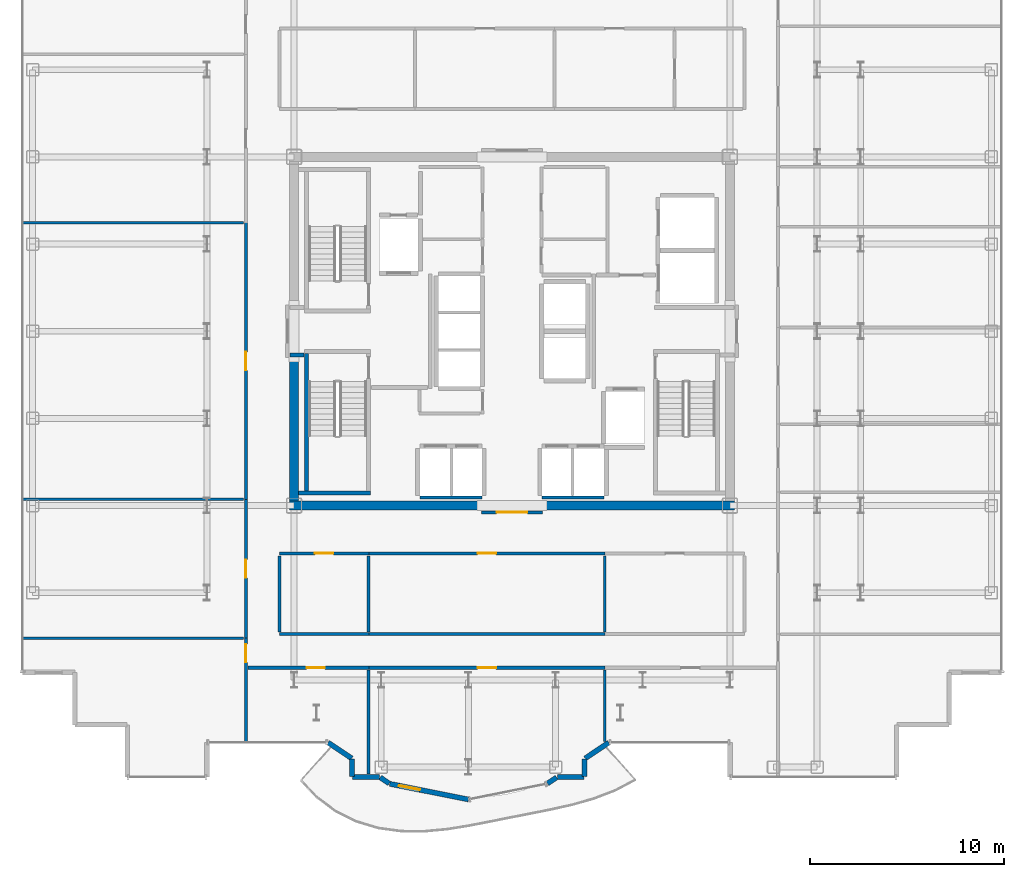
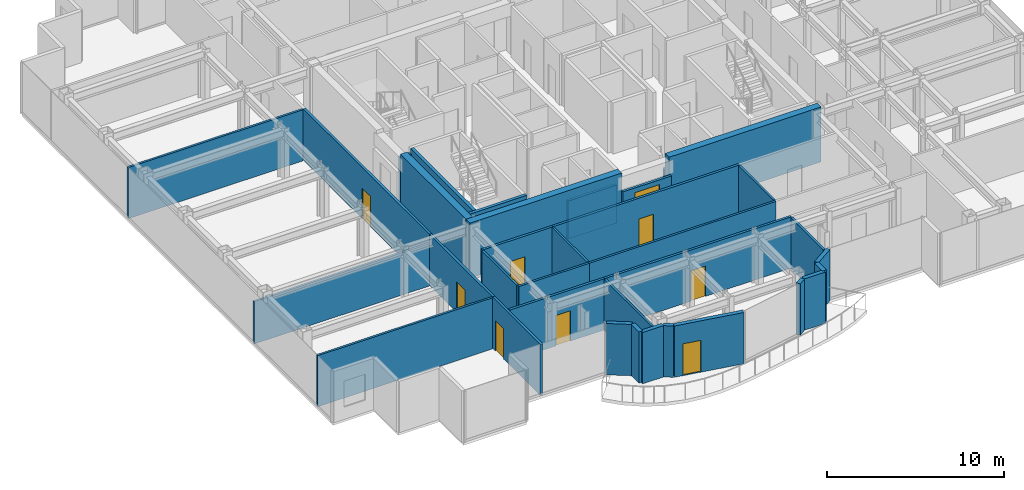
# One storey, part 14 of 21: 35 walls, 9 doors, 9 openings.
"""IFC4 building model written with IfcOpenShell, lengths in metres."""

from ifc_helpers import new_model, si_unit, direction, frame, frame_2d, origin, place, context, subcontext, project, spatial, rectangle, extrude, source, transform, mapped, material, layer, layer_set, type_object, element, fill, save


model = new_model("IFC4")

# Units and contexts
model_context = context("Model", 3, precision=1e-05, world=origin(), true_north=direction((0.0, 1.0)))
body_context = subcontext(model_context, "Body", "Model", "MODEL_VIEW")
ifc_project = project(units=[si_unit("LENGTHUNIT", "METRE"), si_unit("AREAUNIT", "SQUARE_METRE"), si_unit("VOLUMEUNIT", "CUBIC_METRE"), si_unit("PLANEANGLEUNIT", "RADIAN"), si_unit("MASSUNIT", "GRAM", prefix="KILO")], contexts=[model_context])

# Site, building, storey
site_placement = place(None, origin())
site = spatial("IfcSite", under=ifc_project, at=site_placement, CompositionType="ELEMENT")
building_placement = place(site_placement, origin())
building = spatial("IfcBuilding", under=site, at=building_placement, Name="Nefas-Gora Pilgrimage Tower", CompositionType="ELEMENT")
storey_placement = place(building_placement, frame((0.0, 0.0, 248.39990234375)))
storey = spatial("IfcBuildingStorey", under=building, at=storey_placement, Name="L62", CompositionType="ELEMENT", Elevation=248.39990234375)

# Walls
ifc_material_1 = material(Name="Concrete C50/60", Category="concrete")
ifc_layer_1 = layer(ifc_material_1, 0.449951171875)
ifc_layer_set_1 = layer_set([ifc_layer_1], Name="Concrete C50/60")
wall_type_1 = type_object("IfcWallType", Name="SW-CORE-450", PredefinedType="SHEAR", material=ifc_layer_set_1)
shared_shape_1 = source(origin(), body_context, "Body", "SweptSolid", [
    extrude(rectangle(XDim=9.925048828125, YDim=0.449951171875, at=frame_2d((4.96240234375, 0.0))), origin(), (0.0, 0.0, 1.0), 3.800048828125),
])
for number, where, z_axis, x_axis, name in (
    (1, (-11.47509765625, -9.0, 0.0), (0.0, 0.0, 1.0), (1.0, 0.0, 0.0), "L62 Core Shear Wall S-West"),
    (2, (1.550048828125, -9.0, 0.0), (0.0, 0.0, 1.0), (1.0, 0.0, 0.0), "L62 Core Shear Wall S-East"),
):
    element("IfcWall", number, at=place(storey_placement, frame(where, z_axis=z_axis, x_axis=x_axis)), inside=storey, type_object=wall_type_1, Name=name, PredefinedType="SHEAR", context=body_context, shape_type="MappedRepresentation", body=[
        mapped(shared_shape_1, transform((0.0, 0.0, 0.0), x_axis=(1.0, 0.0, 0.0), y_axis=(0.0, 1.0, 0.0), z_axis=(0.0, 0.0, 1.0), scale=1.0)),
    ])
shared_shape_2 = source(origin(), body_context, "Body", "SweptSolid", [
    extrude(rectangle(XDim=7.4248046875, YDim=0.449951171875, at=frame_2d((3.71240234375, 0.0))), origin(), (0.0, 0.0, 1.0), 3.800048828125),
])
wall_1_placement = place(storey_placement, frame((-11.25, -8.77490234375, 0.0), z_axis=(0.0, 0.0, 1.0), x_axis=(0.0, 1.0, 0.0)))
element("IfcWall", 3, at=wall_1_placement, inside=storey, type_object=wall_type_1, Name="L62 Core Shear Wall W-South", PredefinedType="SHEAR", context=body_context, shape_type="MappedRepresentation", body=[
    mapped(shared_shape_2, transform((0.0, 0.0, 0.0), x_axis=(1.0, 0.0, 0.0), y_axis=(0.0, 1.0, 0.0), z_axis=(0.0, 0.0, 1.0), scale=1.0)),
])
ifc_material_2 = material(Name="Precast concrete C40/50", Category="concrete")
ifc_layer_2 = layer(ifc_material_2, 0.260009765625)
ifc_layer_set_2 = layer_set([ifc_layer_2], Name="Precast concrete C40/50")
wall_type_2 = type_object("IfcWallType", Name="EW-PORTAL-260", PredefinedType="SOLIDWALL", material=ifc_layer_set_2)
shared_shape_3 = source(origin(), body_context, "Body", "SweptSolid", [
    extrude(rectangle(XDim=1.468994140625, YDim=0.260009765625, at=frame_2d((0.734375, 0.0))), origin(), (0.0, 0.0, 1.0), 3.550048828125),
])
for number, where, z_axis, x_axis, name in (
    (4, (-9.49462890625, -21.235595703125, 0.0), (0.0, 0.0, 1.0), (0.831461760506, -0.555581983884, 0.0), "L62 Lobe Shoulder Precast Spandrel Pier 30"),
    (5, (3.773193359375, -22.0517578125, 0.0), (0.0, 0.0, 1.0), (0.831461760506, 0.555581983884, 0.0), "L62 Lobe Shoulder Precast Spandrel Pier 38"),
):
    element("IfcWall", number, at=place(storey_placement, frame(where, z_axis=z_axis, x_axis=x_axis)), inside=storey, type_object=wall_type_2, Name=name, PredefinedType="SOLIDWALL", context=body_context, shape_type="MappedRepresentation", body=[
        mapped(shared_shape_3, transform((0.0, 0.0, 0.0), x_axis=(1.0, 0.0, 0.0), y_axis=(0.0, 1.0, 0.0), z_axis=(0.0, 0.0, 1.0), scale=1.0)),
    ])
shared_shape_4 = source(origin(), body_context, "Body", "SweptSolid", [
    extrude(rectangle(XDim=0.896728515625, YDim=0.260009765625, at=frame_2d((0.4482421875, 0.0))), origin(), (0.0, 0.0, 1.0), 3.550048828125),
])
for number, where, z_axis, x_axis, name in (
    (6, (-8.25, -22.09521484375, 0.0), (0.0, 0.0, 1.0), (0.0, -1.0, 0.0), "L62 Lobe Shoulder Precast Spandrel Pier 31"),
    (7, (3.75, -22.991943359375, 0.0), (0.0, 0.0, 1.0), (0.0, 1.0, 0.0), "L62 Lobe Shoulder Precast Spandrel Pier 37"),
):
    element("IfcWall", number, at=place(storey_placement, frame(where, z_axis=z_axis, x_axis=x_axis)), inside=storey, type_object=wall_type_2, Name=name, PredefinedType="SOLIDWALL", context=body_context, shape_type="MappedRepresentation", body=[
        mapped(shared_shape_4, transform((0.0, 0.0, 0.0), x_axis=(1.0, 0.0, 0.0), y_axis=(0.0, 1.0, 0.0), z_axis=(0.0, 0.0, 1.0), scale=1.0)),
    ])
shared_shape_5 = source(origin(), body_context, "Body", "SweptSolid", [
    extrude(rectangle(XDim=1.369873046875, YDim=0.260009765625, at=frame_2d((0.68505859375, 0.0))), origin(), (0.0, 0.0, 1.0), 3.550048828125),
])
for number, where, z_axis, x_axis, name in (
    (8, (-8.221923828125, -23.02001953125, 0.0), (0.0, 0.0, 1.0), (1.0, 0.0, 0.0), "L62 Lobe Shoulder Precast Spandrel Pier 32"),
    (9, (2.35205078125, -23.02001953125, 0.0), (0.0, 0.0, 1.0), (1.0, 0.0, 0.0), "L62 Lobe Shoulder Precast Spandrel Pier 36"),
):
    element("IfcWall", number, at=place(storey_placement, frame(where, z_axis=z_axis, x_axis=x_axis)), inside=storey, type_object=wall_type_2, Name=name, PredefinedType="SOLIDWALL", context=body_context, shape_type="MappedRepresentation", body=[
        mapped(shared_shape_5, transform((0.0, 0.0, 0.0), x_axis=(1.0, 0.0, 0.0), y_axis=(0.0, 1.0, 0.0), z_axis=(0.0, 0.0, 1.0), scale=1.0)),
    ])
shared_shape_6 = source(origin(), body_context, "Body", "SweptSolid", [
    extrude(rectangle(XDim=0.5654296875, YDim=0.260009765625, at=frame_2d((0.28271484375, 0.0))), origin(), (0.0, 0.0, 1.0), 3.550048828125),
])
for number, where, z_axis, x_axis, name in (
    (10, (-6.80078125, -23.03564453125, 0.0), (0.0, 0.0, 1.0), (0.831651492666, -0.555297933317, 0.0), "L62 Lobe Shoulder Precast Spandrel Pier 33"),
    (11, (1.83056640625, -23.349609375, 0.0), (0.0, 0.0, 1.0), (0.831651492666, 0.555297933317, 0.0), "L62 Lobe Shoulder Precast Spandrel Pier 35"),
):
    element("IfcWall", number, at=place(storey_placement, frame(where, z_axis=z_axis, x_axis=x_axis)), inside=storey, type_object=wall_type_2, Name=name, PredefinedType="SOLIDWALL", context=body_context, shape_type="MappedRepresentation", body=[
        mapped(shared_shape_6, transform((0.0, 0.0, 0.0), x_axis=(1.0, 0.0, 0.0), y_axis=(0.0, 1.0, 0.0), z_axis=(0.0, 0.0, 1.0), scale=1.0)),
    ])

# Wall, opening, door
shared_shape_7 = source(origin(), body_context, "Body", "SweptSolid", [
    extrude(rectangle(XDim=4.136962890625, YDim=0.260009765625, at=frame_2d((2.068359375, 0.0))), origin(), (0.0, 0.0, 1.0), 3.550048828125),
])
wall_2_placement = place(storey_placement, frame((-6.307373046875, -23.365234375, 0.0), z_axis=(0.0, 0.0, 1.0), x_axis=(0.980782170794, -0.195105954428, 0.0)))
wall_2 = element("IfcWall", 12, at=wall_2_placement, inside=storey, type_object=wall_type_2, Name="L62 Insulated Terrace Portal Wall 34", PredefinedType="SOLIDWALL", context=body_context, shape_type="MappedRepresentation", body=[
    mapped(shared_shape_7, transform((0.0, 0.0, 0.0), x_axis=(1.0, 0.0, 0.0), y_axis=(0.0, 1.0, 0.0), z_axis=(0.0, 0.0, 1.0), scale=1.0)),
])
opening_1_placement = place(wall_2_placement, frame((0.48779296875, 0.0, 0.0)))
opening_1 = element("IfcOpeningElement", 13, at=opening_1_placement, cuts=wall_2, Name="Opening ED-B1", PredefinedType="OPENING", context=body_context, shape_type="SweptSolid", body=[
    extrude(rectangle(XDim=1.10009765625, YDim=2.199951171875, at=frame_2d((0.550048828125, 1.10009765625))), frame((0.0, 0.139892578125, 0.0), z_axis=(0.0, -1.0, 0.0), x_axis=(1.0, 0.0, 0.0)), (0.0, 0.0, 1.0), 0.280029296875),
])
ifc_material_3 = material(Name="Thermally broken glazed aluminium balcony door", Category="aluminium")
door_type_1 = type_object("IfcDoorType", Name="DR-EXT-BAL-1100", OperationType="NOTDEFINED", PredefinedType="DOOR", material=ifc_material_3)
shared_shape_8 = source(origin(), body_context, "Body", "SweptSolid", [
    extrude(rectangle(XDim=1.10009765625, YDim=2.199951171875, at=frame_2d((0.550048828125, 1.10009765625))), frame((0.0, 0.02490234375, 0.0), z_axis=(0.0, -1.0, 0.0), x_axis=(1.0, 0.0, 0.0)), (0.0, 0.0, 1.0), 0.050048828125),
])
door_1_placement = place(opening_1_placement, origin())
door_1 = element("IfcDoor", 14, at=door_1_placement, inside=storey, type_object=door_type_1, Name="L62 Exterior Door (L62 S Lobe Wave Balcony)", OperationType="SINGLE_SWING_RIGHT", OverallHeight=2.199951171875, OverallWidth=1.10009765625, PredefinedType="DOOR", context=body_context, shape_type="MappedRepresentation", body=[
    mapped(shared_shape_8, transform((0.0, 0.0, 0.0), x_axis=(1.0, 0.0, 0.0), y_axis=(0.0, 1.0, 0.0), z_axis=(0.0, 0.0, 1.0), scale=1.0)),
])
fill(opening_1, door_1)

# Walls
ifc_material_4 = material(Name="Concrete C45/55", Category="concrete")
ifc_layer_3 = layer(ifc_material_4, 0.199951171875)
ifc_layer_set_3 = layer_set([ifc_layer_3], Name="Concrete C45/55")
wall_type_3 = type_object("IfcWallType", Name="IW-STAIR-200", PredefinedType="SOLIDWALL", material=ifc_layer_set_3)
shared_shape_9 = source(origin(), body_context, "Body", "SweptSolid", [
    extrude(rectangle(XDim=7.10009765625, YDim=0.199951171875, at=frame_2d((3.550048828125, 0.0))), origin(), (0.0, 0.0, 1.0), 3.800048828125),
])
wall_3_placement = place(storey_placement, frame((-10.60009765625, -1.14990234375, 0.0), z_axis=(0.0, 0.0, 1.0), x_axis=(0.0, -1.0, 0.0)))
element("IfcWall", 15, at=wall_3_placement, inside=storey, type_object=wall_type_3, Name="L62 Stairwell Shear Wall ST-03-left", PredefinedType="SOLIDWALL", context=body_context, shape_type="MappedRepresentation", body=[
    mapped(shared_shape_9, transform((0.0, 0.0, 0.0), x_axis=(1.0, 0.0, 0.0), y_axis=(0.0, 1.0, 0.0), z_axis=(0.0, 0.0, 1.0), scale=1.0)),
])
shared_shape_10 = source(origin(), body_context, "Body", "SweptSolid", [
    extrude(rectangle(XDim=3.72998046875, YDim=0.199951171875, at=frame_2d((1.864990234375, 0.0))), origin(), (0.0, 0.0, 1.0), 3.800048828125),
])
wall_4_placement = place(storey_placement, frame((-11.030029296875, -8.35009765625, 0.0), z_axis=(0.0, 0.0, 1.0), x_axis=(1.0, 0.0, 0.0)))
element("IfcWall", 16, at=wall_4_placement, inside=storey, type_object=wall_type_3, Name="L62 Stairwell Shear Wall ST-03-far", PredefinedType="SOLIDWALL", context=body_context, shape_type="MappedRepresentation", body=[
    mapped(shared_shape_10, transform((0.0, 0.0, 0.0), x_axis=(1.0, 0.0, 0.0), y_axis=(0.0, 1.0, 0.0), z_axis=(0.0, 0.0, 1.0), scale=1.0)),
])
ifc_material_5 = material(Name="Gypsum acoustic stud partition")
ifc_layer_4 = layer(ifc_material_5, 0.159912109375)
ifc_layer_set_4 = layer_set([ifc_layer_4], Name="Gypsum acoustic stud partition")
wall_type_4 = type_object("IfcWallType", Name="IW-CORR-160", PredefinedType="PARTITIONING", material=ifc_layer_set_4)
shared_shape_11 = source(origin(), body_context, "Body", "SweptSolid", [
    extrude(rectangle(XDim=3.199951171875, YDim=0.159912109375, at=frame_2d((1.60009765625, 0.0))), origin(), (0.0, 0.0, 1.0), 2.625),
])
for number, where, z_axis, x_axis, name in (
    (17, (-4.75, -8.580078125, 0.0), (0.0, 0.0, 1.0), (1.0, 0.0, 0.0), "L62 Hoistway Wall PL2-W-S"),
    (18, (1.550048828125, -8.580078125, 0.0), (0.0, 0.0, 1.0), (1.0, 0.0, 0.0), "L62 Hoistway Wall PL2-E-S"),
):
    element("IfcWall", number, at=place(storey_placement, frame(where, z_axis=z_axis, x_axis=x_axis)), inside=storey, type_object=wall_type_4, Name=name, PredefinedType="PARTITIONING", context=body_context, shape_type="MappedRepresentation", body=[
        mapped(shared_shape_11, transform((0.0, 0.0, 0.0), x_axis=(1.0, 0.0, 0.0), y_axis=(0.0, 1.0, 0.0), z_axis=(0.0, 0.0, 1.0), scale=1.0)),
    ])
ifc_material_6 = material(Name="Gypsum fire-rated shaftwall")
ifc_layer_5 = layer(ifc_material_6, 0.199951171875)
ifc_layer_set_5 = layer_set([ifc_layer_5], Name="Gypsum fire-rated shaftwall")
wall_type_5 = type_object("IfcWallType", Name="IW-FFLOB-200", PredefinedType="PARTITIONING", material=ifc_layer_set_5)
shared_shape_12 = source(origin(), body_context, "Body", "SweptSolid", [
    extrude(rectangle(XDim=0.719970703125, YDim=0.199951171875, at=frame_2d((0.35986328125, 0.0))), origin(), (0.0, 0.0, 1.0), 3.53515625),
])
wall_5_placement = place(storey_placement, frame((-11.4599609375, -1.219970703125, 0.0), z_axis=(0.0, 0.0, 1.0), x_axis=(1.0, 0.0, 0.0)))
element("IfcWall", 19, at=wall_5_placement, inside=storey, type_object=wall_type_5, Name="L62 FF Lobby West Throat S Wall 8", PredefinedType="PARTITIONING", context=body_context, shape_type="MappedRepresentation", body=[
    mapped(shared_shape_12, transform((0.0, 0.0, 0.0), x_axis=(1.0, 0.0, 0.0), y_axis=(0.0, 1.0, 0.0), z_axis=(0.0, 0.0, 1.0), scale=1.0)),
])

# Wall, opening, door
shared_shape_13 = source(origin(), body_context, "Body", "SweptSolid", [
    extrude(rectangle(XDim=6.22509765625, YDim=0.159912109375, at=frame_2d((3.112548828125, 0.0))), origin(), (0.0, 0.0, 1.0), 3.53515625),
])
wall_6_placement = place(storey_placement, frame((-13.6201171875, -17.3701171875, 0.0), z_axis=(0.0, 0.0, 1.0), x_axis=(1.0, 0.0, 0.0)))
wall_6 = element("IfcWall", 20, at=wall_6_placement, inside=storey, type_object=wall_type_4, Name="L62 Pilgrim Contemplative Lounge Partition Wall 77", PredefinedType="PARTITIONING", context=body_context, shape_type="MappedRepresentation", body=[
    mapped(shared_shape_13, transform((0.0, 0.0, 0.0), x_axis=(1.0, 0.0, 0.0), y_axis=(0.0, 1.0, 0.0), z_axis=(0.0, 0.0, 1.0), scale=1.0)),
])
opening_2_placement = place(wall_6_placement, frame((3.0146484375, 0.0, 0.0)))
opening_2 = element("IfcOpeningElement", 21, at=opening_2_placement, cuts=wall_6, Name="Opening ID-GR1", PredefinedType="OPENING", context=body_context, shape_type="SweptSolid", body=[
    extrude(rectangle(XDim=0.949951171875, YDim=2.10009765625, at=frame_2d((0.47509765625, 1.050048828125))), frame((0.0, 0.08984375, 0.0), z_axis=(0.0, -1.0, 0.0), x_axis=(1.0, 0.0, 0.0)), (0.0, 0.0, 1.0), 0.179931640625),
])
ifc_material_7 = material(Name="Solid core oak fire-rated guest entrance door")
door_type_2 = type_object("IfcDoorType", Name="DR-INT-GUEST-950", OperationType="NOTDEFINED", PredefinedType="DOOR", material=ifc_material_7)
shared_shape_14 = source(origin(), body_context, "Body", "SweptSolid", [
    extrude(rectangle(XDim=0.949951171875, YDim=2.10009765625, at=frame_2d((0.47509765625, 1.050048828125))), frame((0.0, 0.02490234375, 0.0), z_axis=(0.0, -1.0, 0.0), x_axis=(1.0, 0.0, 0.0)), (0.0, 0.0, 1.0), 0.050048828125),
])
door_2_placement = place(opening_2_placement, origin())
door_2 = element("IfcDoor", 22, at=door_2_placement, inside=storey, type_object=door_type_2, Name="L62 Pilgrim Contemplative Lounge Door 35", OperationType="SINGLE_SWING_LEFT", OverallHeight=2.10009765625, OverallWidth=0.949951171875, PredefinedType="DOOR", context=body_context, shape_type="MappedRepresentation", body=[
    mapped(shared_shape_14, transform((0.0, 0.0, 0.0), x_axis=(1.0, 0.0, 0.0), y_axis=(0.0, 1.0, 0.0), z_axis=(0.0, 0.0, 1.0), scale=1.0)),
])
fill(opening_2, door_2)

# Walls
ifc_material_8 = material(Name="Gypsum twin-stud partition")
ifc_layer_6 = layer(ifc_material_8, 0.139892578125)
ifc_layer_set_6 = layer_set([ifc_layer_6], Name="Gypsum twin-stud partition")
wall_type_6 = type_object("IfcWallType", Name="IW-UNIT-140", PredefinedType="PARTITIONING", material=ifc_layer_set_6)
shared_shape_15 = source(origin(), body_context, "Body", "SweptSolid", [
    extrude(rectangle(XDim=11.429931640625, YDim=0.139892578125, at=frame_2d((5.71484375, 0.0))), origin(), (0.0, 0.0, 1.0), 3.53515625),
])
for number, where, z_axis, x_axis, name in (
    (23, (-25.2900390625, 5.594970703125, 0.0), (0.0, 0.0, 1.0), (1.0, 0.0, 0.0), "L62 Pilgrim Floor Concierge Foyer Partition Wall 34"),
    (24, (-25.2900390625, -15.84375, 0.0), (0.0, 0.0, 1.0), (1.0, 0.0, 0.0), "L62 Pilgrim Floor Concierge Foyer Partition Wall 36"),
):
    element("IfcWall", number, at=place(storey_placement, frame(where, z_axis=z_axis, x_axis=x_axis)), inside=storey, type_object=wall_type_6, Name=name, PredefinedType="PARTITIONING", context=body_context, shape_type="MappedRepresentation", body=[
        mapped(shared_shape_15, transform((0.0, 0.0, 0.0), x_axis=(1.0, 0.0, 0.0), y_axis=(0.0, 1.0, 0.0), z_axis=(0.0, 0.0, 1.0), scale=1.0)),
    ])
shared_shape_16 = source(origin(), body_context, "Body", "SweptSolid", [
    extrude(rectangle(XDim=3.929931640625, YDim=0.139892578125, at=frame_2d((1.96484375, 0.0))), origin(), (0.0, 0.0, 1.0), 3.53515625),
])
for number, where, z_axis, x_axis, name in (
    (25, (-12.0, -15.52001953125, 0.0), (0.0, 0.0, 1.0), (0.0, 1.0, 0.0), "L62 Pilgrim Contemplative Lounge Partition Wall 81"),
    (26, (-7.405029296875, -15.52001953125, 0.0), (0.0, 0.0, 1.0), (0.0, 1.0, 0.0), "L62 Pilgrim Contemplative Lounge Partition Wall 82"),
    (27, (4.794921875, -15.52001953125, 0.0), (0.0, 0.0, 1.0), (0.0, 1.0, 0.0), "L62 Pilgrim Contemplative Lounge Partition Wall 87"),
):
    element("IfcWall", number, at=place(storey_placement, frame(where, z_axis=z_axis, x_axis=x_axis)), inside=storey, type_object=wall_type_6, Name=name, PredefinedType="PARTITIONING", context=body_context, shape_type="MappedRepresentation", body=[
        mapped(shared_shape_16, transform((0.0, 0.0, 0.0), x_axis=(1.0, 0.0, 0.0), y_axis=(0.0, 1.0, 0.0), z_axis=(0.0, 0.0, 1.0), scale=1.0)),
    ])

# Wall, opening, door
shared_shape_17 = source(origin(), body_context, "Body", "SweptSolid", [
    extrude(rectangle(XDim=3.16015625, YDim=0.159912109375, at=frame_2d((1.580078125, 0.0))), origin(), (0.0, 0.0, 1.0), 2.625),
])
wall_7_placement = place(storey_placement, frame((-1.580078125, -9.35009765625, 0.0), z_axis=(0.0, 0.0, 1.0), x_axis=(1.0, 0.0, 0.0)))
wall_7 = element("IfcWall", 28, at=wall_7_placement, inside=storey, type_object=wall_type_4, Name="L62 Central Lift Lobby South Portal Wall 16", PredefinedType="PARTITIONING", context=body_context, shape_type="MappedRepresentation", body=[
    mapped(shared_shape_17, transform((0.0, 0.0, 0.0), x_axis=(1.0, 0.0, 0.0), y_axis=(0.0, 1.0, 0.0), z_axis=(0.0, 0.0, 1.0), scale=1.0)),
])
opening_3_placement = place(wall_7_placement, frame((0.780029296875, 0.0, 0.0)))
opening_3 = element("IfcOpeningElement", 29, at=opening_3_placement, cuts=wall_7, Name="Opening ID-HL1", PredefinedType="OPENING", context=body_context, shape_type="SweptSolid", body=[
    extrude(rectangle(XDim=1.60009765625, YDim=2.300048828125, at=frame_2d((0.800048828125, 1.14990234375))), frame((0.0, 0.08984375, 0.0), z_axis=(0.0, -1.0, 0.0), x_axis=(1.0, 0.0, 0.0)), (0.0, 0.0, 1.0), 0.179931640625),
])
ifc_material_9 = material(Name="Double acoustic timber assembly hall door", Category="wood")
door_type_3 = type_object("IfcDoorType", Name="DR-INT-HALL-1600", OperationType="DOUBLE_DOOR_SINGLE_SWING", PredefinedType="DOOR", material=ifc_material_9)
shared_shape_18 = source(origin(), body_context, "Body", "SweptSolid", [
    extrude(rectangle(XDim=1.60009765625, YDim=2.300048828125, at=frame_2d((0.800048828125, 1.14990234375))), frame((0.0, 0.02490234375, 0.0), z_axis=(0.0, -1.0, 0.0), x_axis=(1.0, 0.0, 0.0)), (0.0, 0.0, 1.0), 0.050048828125),
])
door_3_placement = place(opening_3_placement, origin())
door_3 = element("IfcDoor", 30, at=door_3_placement, inside=storey, type_object=door_type_3, Name="L62 Central Lift Lobby South Portal Door 6", OperationType="DOUBLE_DOOR_SINGLE_SWING", OverallHeight=2.300048828125, OverallWidth=1.60009765625, PredefinedType="DOOR", context=body_context, shape_type="MappedRepresentation", body=[
    mapped(shared_shape_18, transform((0.0, 0.0, 0.0), x_axis=(1.0, 0.0, 0.0), y_axis=(0.0, 1.0, 0.0), z_axis=(0.0, 0.0, 1.0), scale=1.0)),
])
fill(opening_3, door_3)

# Wall
shared_shape_19 = source(origin(), body_context, "Body", "SweptSolid", [
    extrude(rectangle(XDim=11.429931640625, YDim=0.139892578125, at=frame_2d((5.71484375, 0.0))), origin(), (0.0, 0.0, 1.0), 2.925048828125),
])
wall_8_placement = place(storey_placement, frame((-25.2900390625, -8.677490234375, 0.0), z_axis=(0.0, 0.0, 1.0), x_axis=(1.0, 0.0, 0.0)))
element("IfcWall", 31, at=wall_8_placement, inside=storey, type_object=wall_type_6, Name="L62 Pilgrim Floor Concierge Foyer Partition Wall 33", PredefinedType="PARTITIONING", context=body_context, shape_type="MappedRepresentation", body=[
    mapped(shared_shape_19, transform((0.0, 0.0, 0.0), x_axis=(1.0, 0.0, 0.0), y_axis=(0.0, 1.0, 0.0), z_axis=(0.0, 0.0, 1.0), scale=1.0)),
])

# Wall, opening, door
shared_shape_20 = source(origin(), body_context, "Body", "SweptSolid", [
    extrude(rectangle(XDim=4.614990234375, YDim=0.159912109375, at=frame_2d((2.3076171875, 0.0))), origin(), (0.0, 0.0, 1.0), 3.53515625),
])
wall_9_placement = place(storey_placement, frame((-12.010009765625, -11.469970703125, 0.0), z_axis=(0.0, 0.0, 1.0), x_axis=(1.0, 0.0, 0.0)))
wall_9 = element("IfcWall", 32, at=wall_9_placement, inside=storey, type_object=wall_type_4, Name="L62 Pilgrim Contemplative Lounge Partition Wall 79", PredefinedType="PARTITIONING", context=body_context, shape_type="MappedRepresentation", body=[
    mapped(shared_shape_20, transform((0.0, 0.0, 0.0), x_axis=(1.0, 0.0, 0.0), y_axis=(0.0, 1.0, 0.0), z_axis=(0.0, 0.0, 1.0), scale=1.0)),
])
opening_4_placement = place(wall_9_placement, frame((1.83251953125, 0.0, 0.0)))
opening_4 = element("IfcOpeningElement", 33, at=opening_4_placement, cuts=wall_9, Name="Opening ID-GR1", PredefinedType="OPENING", context=body_context, shape_type="SweptSolid", body=[
    extrude(rectangle(XDim=0.949951171875, YDim=2.10009765625, at=frame_2d((0.47509765625, 1.050048828125))), frame((0.0, 0.08984375, 0.0), z_axis=(0.0, -1.0, 0.0), x_axis=(1.0, 0.0, 0.0)), (0.0, 0.0, 1.0), 0.179931640625),
])
door_4_placement = place(opening_4_placement, origin())
door_4 = element("IfcDoor", 34, at=door_4_placement, inside=storey, type_object=door_type_2, Name="L62 Pilgrim Contemplative Lounge Door 36", OperationType="SINGLE_SWING_RIGHT", OverallHeight=2.10009765625, OverallWidth=0.949951171875, PredefinedType="DOOR", context=body_context, shape_type="MappedRepresentation", body=[
    mapped(shared_shape_14, transform((0.0, 0.0, 0.0), x_axis=(1.0, 0.0, 0.0), y_axis=(0.0, 1.0, 0.0), z_axis=(0.0, 0.0, 1.0), scale=1.0)),
])
fill(opening_4, door_4)

# Wall
shared_shape_21 = source(origin(), body_context, "Body", "SweptSolid", [
    extrude(rectangle(XDim=4.614990234375, YDim=0.139892578125, at=frame_2d((2.3076171875, 0.0))), origin(), (0.0, 0.0, 1.0), 3.53515625),
])
wall_10_placement = place(storey_placement, frame((-12.010009765625, -15.6298828125, 0.0), z_axis=(0.0, 0.0, 1.0), x_axis=(1.0, 0.0, 0.0)))
element("IfcWall", 35, at=wall_10_placement, inside=storey, type_object=wall_type_6, Name="L62 Pilgrim Contemplative Lounge Partition Wall 80", PredefinedType="PARTITIONING", context=body_context, shape_type="MappedRepresentation", body=[
    mapped(shared_shape_21, transform((0.0, 0.0, 0.0), x_axis=(1.0, 0.0, 0.0), y_axis=(0.0, 1.0, 0.0), z_axis=(0.0, 0.0, 1.0), scale=1.0)),
])

# Wall, opening, door
shared_shape_22 = source(origin(), body_context, "Body", "SweptSolid", [
    extrude(rectangle(XDim=14.29248046875, YDim=0.159912109375, at=frame_2d((7.146240234375, 0.0))), origin(), (0.0, 0.0, 1.0), 3.53515625),
])
wall_11_placement = place(storey_placement, frame((-13.739990234375, -8.6875, 0.0), z_axis=(0.0, 0.0, 1.0), x_axis=(0.0, 1.0, 0.0)))
wall_11 = element("IfcWall", 36, at=wall_11_placement, inside=storey, type_object=wall_type_4, Name="L62 Pilgrim Floor Concierge Foyer Partition Wall 32", PredefinedType="PARTITIONING", context=body_context, shape_type="MappedRepresentation", body=[
    mapped(shared_shape_22, transform((0.0, 0.0, 0.0), x_axis=(1.0, 0.0, 0.0), y_axis=(0.0, 1.0, 0.0), z_axis=(0.0, 0.0, 1.0), scale=1.0)),
])
opening_5_placement = place(wall_11_placement, frame((6.67138671875, 0.0, 0.0)))
opening_5 = element("IfcOpeningElement", 37, at=opening_5_placement, cuts=wall_11, Name="Opening ID-GR1", PredefinedType="OPENING", context=body_context, shape_type="SweptSolid", body=[
    extrude(rectangle(XDim=0.949951171875, YDim=2.10009765625, at=frame_2d((0.47509765625, 1.050048828125))), frame((0.0, 0.08984375, 0.0), z_axis=(0.0, -1.0, 0.0), x_axis=(1.0, 0.0, 0.0)), (0.0, 0.0, 1.0), 0.179931640625),
])
door_5_placement = place(opening_5_placement, origin())
door_5 = element("IfcDoor", 38, at=door_5_placement, inside=storey, type_object=door_type_2, Name="L62 Pilgrim Floor Concierge Foyer Door 13", OperationType="SINGLE_SWING_LEFT", OverallHeight=2.10009765625, OverallWidth=0.949951171875, PredefinedType="DOOR", context=body_context, shape_type="MappedRepresentation", body=[
    mapped(shared_shape_14, transform((0.0, 0.0, 0.0), x_axis=(1.0, 0.0, 0.0), y_axis=(0.0, 1.0, 0.0), z_axis=(0.0, 0.0, 1.0), scale=1.0)),
])
fill(opening_5, door_5)

shared_shape_23 = source(origin(), body_context, "Body", "SweptSolid", [
    extrude(rectangle(XDim=5.40625, YDim=0.159912109375, at=frame_2d((2.703125, 0.0))), origin(), (0.0, 0.0, 1.0), 3.53515625),
])
wall_12_placement = place(storey_placement, frame((-13.739990234375, -21.239990234375, 0.0), z_axis=(0.0, 0.0, 1.0), x_axis=(0.0, 1.0, 0.0)))
wall_12 = element("IfcWall", 39, at=wall_12_placement, inside=storey, type_object=wall_type_4, Name="L62 Pilgrim Floor Concierge Foyer Partition Wall 35", PredefinedType="PARTITIONING", context=body_context, shape_type="MappedRepresentation", body=[
    mapped(shared_shape_23, transform((0.0, 0.0, 0.0), x_axis=(1.0, 0.0, 0.0), y_axis=(0.0, 1.0, 0.0), z_axis=(0.0, 0.0, 1.0), scale=1.0)),
])
opening_6_placement = place(wall_12_placement, frame((4.14306640625, 0.0, 0.0)))
opening_6 = element("IfcOpeningElement", 40, at=opening_6_placement, cuts=wall_12, Name="Opening ID-GR1", PredefinedType="OPENING", context=body_context, shape_type="SweptSolid", body=[
    extrude(rectangle(XDim=0.949951171875, YDim=2.10009765625, at=frame_2d((0.47509765625, 1.050048828125))), frame((0.0, 0.08984375, 0.0), z_axis=(0.0, -1.0, 0.0), x_axis=(1.0, 0.0, 0.0)), (0.0, 0.0, 1.0), 0.179931640625),
])
door_6_placement = place(opening_6_placement, origin())
door_6 = element("IfcDoor", 41, at=door_6_placement, inside=storey, type_object=door_type_2, Name="L62 Pilgrim Floor Concierge Foyer Door 14", OperationType="SINGLE_SWING_RIGHT", OverallHeight=2.10009765625, OverallWidth=0.949951171875, PredefinedType="DOOR", context=body_context, shape_type="MappedRepresentation", body=[
    mapped(shared_shape_14, transform((0.0, 0.0, 0.0), x_axis=(1.0, 0.0, 0.0), y_axis=(0.0, 1.0, 0.0), z_axis=(0.0, 0.0, 1.0), scale=1.0)),
])
fill(opening_6, door_6)

shared_shape_24 = source(origin(), body_context, "Body", "SweptSolid", [
    extrude(rectangle(XDim=7.146240234375, YDim=0.159912109375, at=frame_2d((3.5732421875, 0.0))), origin(), (0.0, 0.0, 1.0), 3.53515625),
])
wall_13_placement = place(storey_placement, frame((-13.739990234375, -15.833740234375, 0.0), z_axis=(0.0, 0.0, 1.0), x_axis=(0.0, 1.0, 0.0)))
wall_13 = element("IfcWall", 42, at=wall_13_placement, inside=storey, type_object=wall_type_4, Name="L62 Pilgrim Floor Concierge Foyer Partition Wall 37", PredefinedType="PARTITIONING", context=body_context, shape_type="MappedRepresentation", body=[
    mapped(shared_shape_24, transform((0.0, 0.0, 0.0), x_axis=(1.0, 0.0, 0.0), y_axis=(0.0, 1.0, 0.0), z_axis=(0.0, 0.0, 1.0), scale=1.0)),
])
opening_7_placement = place(wall_13_placement, frame((3.09814453125, 0.0, 0.0)))
opening_7 = element("IfcOpeningElement", 43, at=opening_7_placement, cuts=wall_13, Name="Opening ID-GR1", PredefinedType="OPENING", context=body_context, shape_type="SweptSolid", body=[
    extrude(rectangle(XDim=0.949951171875, YDim=2.10009765625, at=frame_2d((0.47509765625, 1.050048828125))), frame((0.0, 0.08984375, 0.0), z_axis=(0.0, -1.0, 0.0), x_axis=(1.0, 0.0, 0.0)), (0.0, 0.0, 1.0), 0.179931640625),
])
door_7_placement = place(opening_7_placement, origin())
door_7 = element("IfcDoor", 44, at=door_7_placement, inside=storey, type_object=door_type_2, Name="L62 Pilgrim Floor Concierge Foyer Door 15", OperationType="SINGLE_SWING_LEFT", OverallHeight=2.10009765625, OverallWidth=0.949951171875, PredefinedType="DOOR", context=body_context, shape_type="MappedRepresentation", body=[
    mapped(shared_shape_14, transform((0.0, 0.0, 0.0), x_axis=(1.0, 0.0, 0.0), y_axis=(0.0, 1.0, 0.0), z_axis=(0.0, 0.0, 1.0), scale=1.0)),
])
fill(opening_7, door_7)

# Wall
shared_shape_25 = source(origin(), body_context, "Body", "SweptSolid", [
    extrude(rectangle(XDim=5.360107421875, YDim=0.139892578125, at=frame_2d((2.68017578125, 0.0))), origin(), (0.0, 0.0, 1.0), 3.53515625),
])
wall_14_placement = place(storey_placement, frame((-7.405029296875, -22.85009765625, 0.0), z_axis=(0.0, 0.0, 1.0), x_axis=(0.0, 1.0, 0.0)))
element("IfcWall", 45, at=wall_14_placement, inside=storey, type_object=wall_type_6, Name="L62 Pilgrim Contemplative Lounge Partition Wall 78", PredefinedType="PARTITIONING", context=body_context, shape_type="MappedRepresentation", body=[
    mapped(shared_shape_25, transform((0.0, 0.0, 0.0), x_axis=(1.0, 0.0, 0.0), y_axis=(0.0, 1.0, 0.0), z_axis=(0.0, 0.0, 1.0), scale=1.0)),
])

# Wall, opening, door
shared_shape_26 = source(origin(), body_context, "Body", "SweptSolid", [
    extrude(rectangle(XDim=12.2099609375, YDim=0.159912109375, at=frame_2d((6.10498046875, 0.0))), origin(), (0.0, 0.0, 1.0), 3.53515625),
])
wall_15_placement = place(storey_placement, frame((-7.405029296875, -17.3701171875, 0.0), z_axis=(0.0, 0.0, 1.0), x_axis=(1.0, 0.0, 0.0)))
wall_15 = element("IfcWall", 46, at=wall_15_placement, inside=storey, type_object=wall_type_4, Name="L62 Pilgrim Contemplative Lounge Partition Wall 83", PredefinedType="PARTITIONING", context=body_context, shape_type="MappedRepresentation", body=[
    mapped(shared_shape_26, transform((0.0, 0.0, 0.0), x_axis=(1.0, 0.0, 0.0), y_axis=(0.0, 1.0, 0.0), z_axis=(0.0, 0.0, 1.0), scale=1.0)),
])
opening_8_placement = place(wall_15_placement, frame((5.6298828125, 0.0, 0.0)))
opening_8 = element("IfcOpeningElement", 47, at=opening_8_placement, cuts=wall_15, Name="Opening ID-GR1", PredefinedType="OPENING", context=body_context, shape_type="SweptSolid", body=[
    extrude(rectangle(XDim=0.949951171875, YDim=2.10009765625, at=frame_2d((0.47509765625, 1.050048828125))), frame((0.0, 0.08984375, 0.0), z_axis=(0.0, -1.0, 0.0), x_axis=(1.0, 0.0, 0.0)), (0.0, 0.0, 1.0), 0.179931640625),
])
door_8_placement = place(opening_8_placement, origin())
door_8 = element("IfcDoor", 48, at=door_8_placement, inside=storey, type_object=door_type_2, Name="L62 Pilgrim Contemplative Lounge Door 37", OperationType="SINGLE_SWING_LEFT", OverallHeight=2.10009765625, OverallWidth=0.949951171875, PredefinedType="DOOR", context=body_context, shape_type="MappedRepresentation", body=[
    mapped(shared_shape_14, transform((0.0, 0.0, 0.0), x_axis=(1.0, 0.0, 0.0), y_axis=(0.0, 1.0, 0.0), z_axis=(0.0, 0.0, 1.0), scale=1.0)),
])
fill(opening_8, door_8)

wall_16_placement = place(storey_placement, frame((-7.405029296875, -11.469970703125, 0.0), z_axis=(0.0, 0.0, 1.0), x_axis=(1.0, 0.0, 0.0)))
wall_16 = element("IfcWall", 49, at=wall_16_placement, inside=storey, type_object=wall_type_4, Name="L62 Pilgrim Contemplative Lounge Partition Wall 85", PredefinedType="PARTITIONING", context=body_context, shape_type="MappedRepresentation", body=[
    mapped(shared_shape_26, transform((0.0, 0.0, 0.0), x_axis=(1.0, 0.0, 0.0), y_axis=(0.0, 1.0, 0.0), z_axis=(0.0, 0.0, 1.0), scale=1.0)),
])
opening_9_placement = place(wall_16_placement, frame((5.6298828125, 0.0, 0.0)))
opening_9 = element("IfcOpeningElement", 50, at=opening_9_placement, cuts=wall_16, Name="Opening ID-GR1", PredefinedType="OPENING", context=body_context, shape_type="SweptSolid", body=[
    extrude(rectangle(XDim=0.949951171875, YDim=2.10009765625, at=frame_2d((0.47509765625, 1.050048828125))), frame((0.0, 0.08984375, 0.0), z_axis=(0.0, -1.0, 0.0), x_axis=(1.0, 0.0, 0.0)), (0.0, 0.0, 1.0), 0.179931640625),
])
door_9_placement = place(opening_9_placement, origin())
door_9 = element("IfcDoor", 51, at=door_9_placement, inside=storey, type_object=door_type_2, Name="L62 Pilgrim Contemplative Lounge Door 38", OperationType="SINGLE_SWING_RIGHT", OverallHeight=2.10009765625, OverallWidth=0.949951171875, PredefinedType="DOOR", context=body_context, shape_type="MappedRepresentation", body=[
    mapped(shared_shape_14, transform((0.0, 0.0, 0.0), x_axis=(1.0, 0.0, 0.0), y_axis=(0.0, 1.0, 0.0), z_axis=(0.0, 0.0, 1.0), scale=1.0)),
])
fill(opening_9, door_9)

# Walls
shared_shape_27 = source(origin(), body_context, "Body", "SweptSolid", [
    extrude(rectangle(XDim=3.677001953125, YDim=0.139892578125, at=frame_2d((1.83837890625, 0.0))), origin(), (0.0, 0.0, 1.0), 3.53515625),
])
wall_17_placement = place(storey_placement, frame((4.794921875, -21.1669921875, 0.0), z_axis=(0.0, 0.0, 1.0), x_axis=(0.0, 1.0, 0.0)))
element("IfcWall", 52, at=wall_17_placement, inside=storey, type_object=wall_type_6, Name="L62 Pilgrim Contemplative Lounge Partition Wall 84", PredefinedType="PARTITIONING", context=body_context, shape_type="MappedRepresentation", body=[
    mapped(shared_shape_27, transform((0.0, 0.0, 0.0), x_axis=(1.0, 0.0, 0.0), y_axis=(0.0, 1.0, 0.0), z_axis=(0.0, 0.0, 1.0), scale=1.0)),
])
shared_shape_28 = source(origin(), body_context, "Body", "SweptSolid", [
    extrude(rectangle(XDim=12.2099609375, YDim=0.139892578125, at=frame_2d((6.10498046875, 0.0))), origin(), (0.0, 0.0, 1.0), 3.53515625),
])
wall_18_placement = place(storey_placement, frame((-7.405029296875, -15.6298828125, 0.0), z_axis=(0.0, 0.0, 1.0), x_axis=(1.0, 0.0, 0.0)))
element("IfcWall", 53, at=wall_18_placement, inside=storey, type_object=wall_type_6, Name="L62 Pilgrim Contemplative Lounge Partition Wall 86", PredefinedType="PARTITIONING", context=body_context, shape_type="MappedRepresentation", body=[
    mapped(shared_shape_28, transform((0.0, 0.0, 0.0), x_axis=(1.0, 0.0, 0.0), y_axis=(0.0, 1.0, 0.0), z_axis=(0.0, 0.0, 1.0), scale=1.0)),
])

save(model, "model.ifc")
